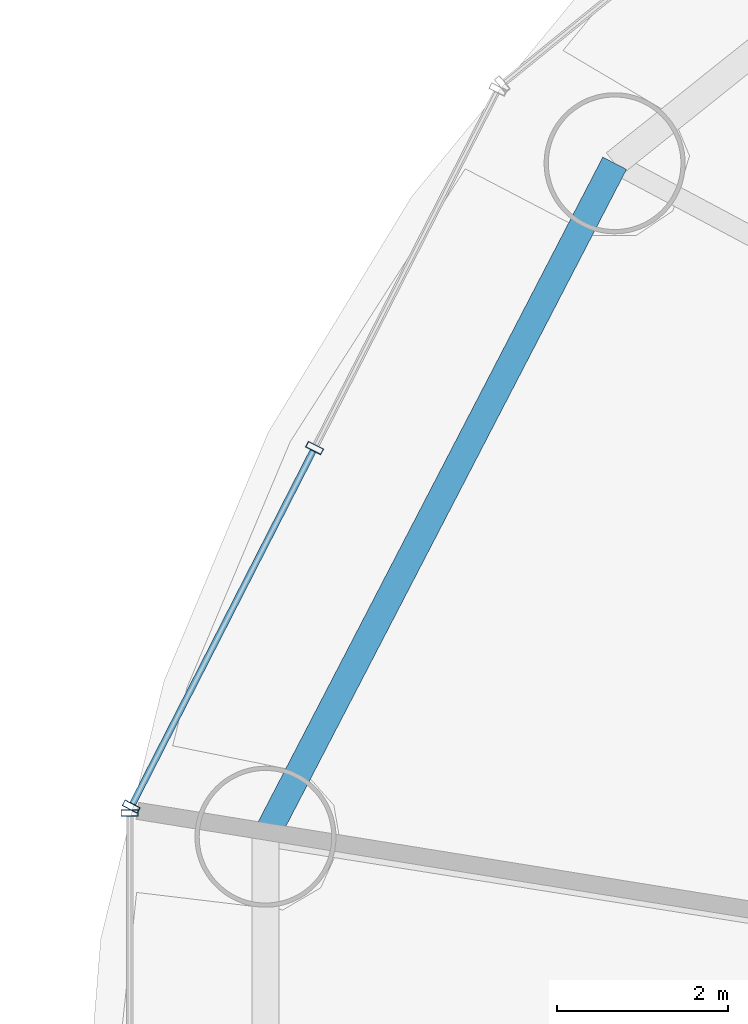
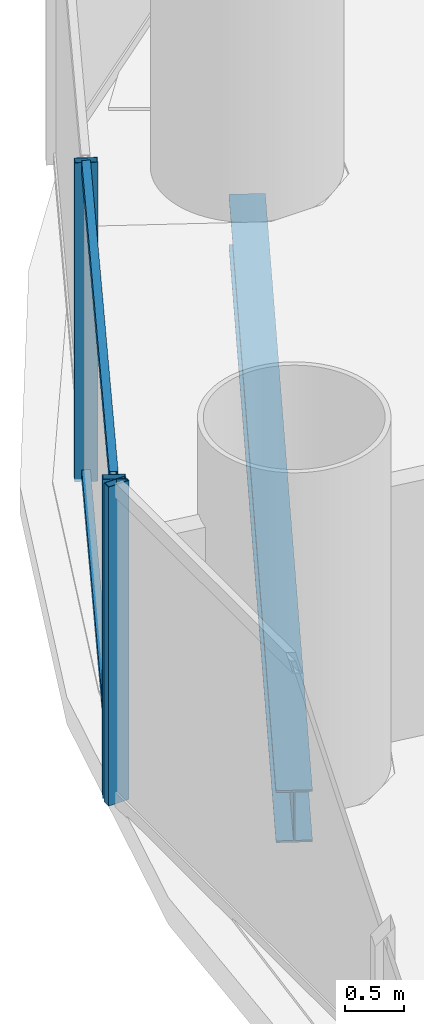
# One storey, part 8 of 30: 5 members, 1 beam, 2 elements without a shape of their own.
"""IFC4 building model written with IfcOpenShell, lengths in metres."""

from ifc_helpers import new_model, si_unit, direction, frame, origin, origin_2d, place, context, subcontext, project, spatial, hollow_rectangle, i_section, extrude, source, transform, mapped, material, material_profile, profile_set, type_object, element, aggregate, save


model = new_model("IFC4")

# Units and contexts
model_context = context("Model", 3, precision=1e-05, world=origin(), true_north=direction((-0.2419218956, 0.970295726276)))
body_context = subcontext(model_context, "Body", "Model", "MODEL_VIEW")
ifc_project = project(units=[si_unit("LENGTHUNIT", "METRE"), si_unit("AREAUNIT", "SQUARE_METRE"), si_unit("VOLUMEUNIT", "CUBIC_METRE"), si_unit("PLANEANGLEUNIT", "RADIAN"), si_unit("MASSUNIT", "GRAM", prefix="KILO")], contexts=[model_context])

# Site, building, storey
site_placement = place(None, origin())
site = spatial("IfcSite", under=ifc_project, at=site_placement, CompositionType="ELEMENT")
building_placement = place(site_placement, origin())
building = spatial("IfcBuilding", under=site, at=building_placement, Name="Cobrevalo Terracotta Tower", CompositionType="ELEMENT")
storey_placement = place(building_placement, frame((0.0, 0.0, 27.60009765625)))
storey = spatial("IfcBuildingStorey", under=building, at=storey_placement, Name="L06", CompositionType="ELEMENT", Elevation=27.60009765625)

# Beam
ifc_material_1 = material(Name="Steel S355", Category="steel")
ifc_material_profile_1 = material_profile(ifc_material_1, i_section(OverallWidth=0.31201171875, OverallDepth=0.54296875, WebThickness=0.0126953125, FlangeThickness=0.020263671875, at=origin_2d()), Name="W 530x150")
ifc_profile_set_1 = profile_set([ifc_material_profile_1], Name="Steel S355")
beam_type = type_object("IfcBeamType", Name="Structural Spandrel W 530x150 (Steel S355)", PredefinedType="SPANDREL", material=ifc_profile_set_1)
beam_placement = place(storey_placement, frame((15.25927734375, 38.939208984375, -0.551513671875), z_axis=(-0.460285838799, -0.88777077368, 0.0), x_axis=(0.88777077368, -0.460285838799, 0.0)))
element("IfcBeam", 1, at=beam_placement, inside=storey, type_object=beam_type, Name="L06 perimeter ring spandrel 07", PredefinedType="SPANDREL", context=body_context, shape_type="SweptSolid", body=[
    extrude(i_section(OverallWidth=0.31201171875, OverallDepth=0.54296875, WebThickness=0.0126953125, FlangeThickness=0.020263671875, at=origin_2d()), origin(), (0.0, 0.0, 1.0), 8.8720703125),
])

# Curtain wall, members
ifc_material_2 = material(Name="Anodized aluminium", Category="aluminium")
curtain_wall_type = type_object("IfcCurtainWallType", Name="Lower-tower unitised acoustic low-E curtain wall CW-U1", PredefinedType="NOTDEFINED", material=ifc_material_2)
curtain_wall_1_placement = place(storey_placement, origin())
curtain_wall_1 = element("IfcCurtainWall", 2, at=curtain_wall_1_placement, inside=storey, type_object=curtain_wall_type, Name="L06 curtain wall CW-L06-S07", PredefinedType="NOTDEFINED")
ifc_material_profile_2 = material_profile(ifc_material_2, hollow_rectangle(XDim=0.074951171875, YDim=0.199951171875, WallThickness=0.0048828125, at=origin_2d()), Name="CWM 75x200")
ifc_profile_set_2 = profile_set([ifc_material_profile_2], Name="Anodized aluminium")
member_type_1 = type_object("IfcMemberType", Name="Lower/mid tower unitised mullion 75x200", PredefinedType="MULLION", material=ifc_profile_set_2)
shared_shape_1 = source(origin(), body_context, "Body", "SweptSolid", [
    extrude(hollow_rectangle(XDim=0.074951171875, YDim=0.199951171875, WallThickness=0.0048828125, at=origin_2d()), origin(), (0.0, 0.0, 1.0), 3.31982421875),
])
member_1_placement = place(storey_placement, frame((11.74951171875, 35.60888671875, 0.0), z_axis=(0.0, 0.0, 1.0), x_axis=(-0.455234136597, -0.890371765543, 0.0)))
member_1 = element("IfcMember", 3, at=member_1_placement, type_object=member_type_1, Name="CW-L06-S07 vertical mullion 02", PredefinedType="MULLION", context=body_context, shape_type="MappedRepresentation", body=[
    mapped(shared_shape_1, transform((0.0, 0.0, 0.0), scale=1.0)),
])
member_2_placement = place(storey_placement, frame((9.60498046875, 31.414306640625, 0.0), z_axis=(0.0, 0.0, 1.0), x_axis=(-0.455234136597, -0.890371765543, 0.0)))
member_2 = element("IfcMember", 4, at=member_2_placement, type_object=member_type_1, Name="CW-L06-S07 vertical mullion 03", PredefinedType="MULLION", context=body_context, shape_type="MappedRepresentation", body=[
    mapped(shared_shape_1, transform((0.0, 0.0, 0.0), scale=1.0)),
])

# Curtain wall, member
curtain_wall_2_placement = place(storey_placement, origin())
curtain_wall_2 = element("IfcCurtainWall", 5, at=curtain_wall_2_placement, inside=storey, type_object=curtain_wall_type, Name="L06 curtain wall CW-L06-S08", PredefinedType="NOTDEFINED")
member_3_placement = place(storey_placement, frame((9.586669921875, 31.3388671875, 0.0), z_axis=(0.0, 0.0, 1.0), x_axis=(0.0, -1.0, 0.0)))
member_3 = element("IfcMember", 6, at=member_3_placement, type_object=member_type_1, Name="CW-L06-S08 vertical mullion 01", PredefinedType="MULLION", context=body_context, shape_type="MappedRepresentation", body=[
    mapped(shared_shape_1, transform((0.0, 0.0, 0.0), scale=1.0)),
])
aggregate(curtain_wall_2, [member_3])

# Member
ifc_material_profile_3 = material_profile(ifc_material_2, hollow_rectangle(XDim=0.074951171875, YDim=0.14990234375, WallThickness=0.00439453125, at=origin_2d()), Name="CWT 75x150")
ifc_profile_set_3 = profile_set([ifc_material_profile_3], Name="Anodized aluminium")
member_type_2 = type_object("IfcMemberType", Name="Tower unitised aluminium transom 75x150", PredefinedType="USERDEFINED", material=ifc_profile_set_3)
shared_shape_2 = source(origin(), body_context, "Body", "SweptSolid", [
    extrude(hollow_rectangle(XDim=0.074951171875, YDim=0.14990234375, WallThickness=0.00439453125, at=origin_2d()), origin(), (0.0, 0.0, 1.0), 4.631103515625),
])
member_4_placement = place(storey_placement, frame((11.731201171875, 35.573486328125, 0.0498046875), z_axis=(-0.455208584993, -0.890384829245, 0.0), x_axis=(0.890384829245, -0.455208584993, 0.0)))
member_4 = element("IfcMember", 7, at=member_4_placement, type_object=member_type_2, Name="CW-L06-S07 transom B02-T1", ObjectType="TRANSOM", PredefinedType="USERDEFINED", context=body_context, shape_type="MappedRepresentation", body=[
    mapped(shared_shape_2, transform((0.0, 0.0, 0.0), scale=1.0)),
])

member_5_placement = place(storey_placement, frame((11.731201171875, 35.573486328125, 3.27001953125), z_axis=(-0.455208584993, -0.890384829245, 0.0), x_axis=(0.890384829245, -0.455208584993, 0.0)))
member_5 = element("IfcMember", 8, at=member_5_placement, type_object=member_type_2, Name="CW-L06-S07 transom B02-T2", ObjectType="TRANSOM", PredefinedType="USERDEFINED", context=body_context, shape_type="MappedRepresentation", body=[
    mapped(shared_shape_2, transform((0.0, 0.0, 0.0), scale=1.0)),
])

aggregate(curtain_wall_1, [member_1, member_2, member_4, member_5])

save(model, "model.ifc")
